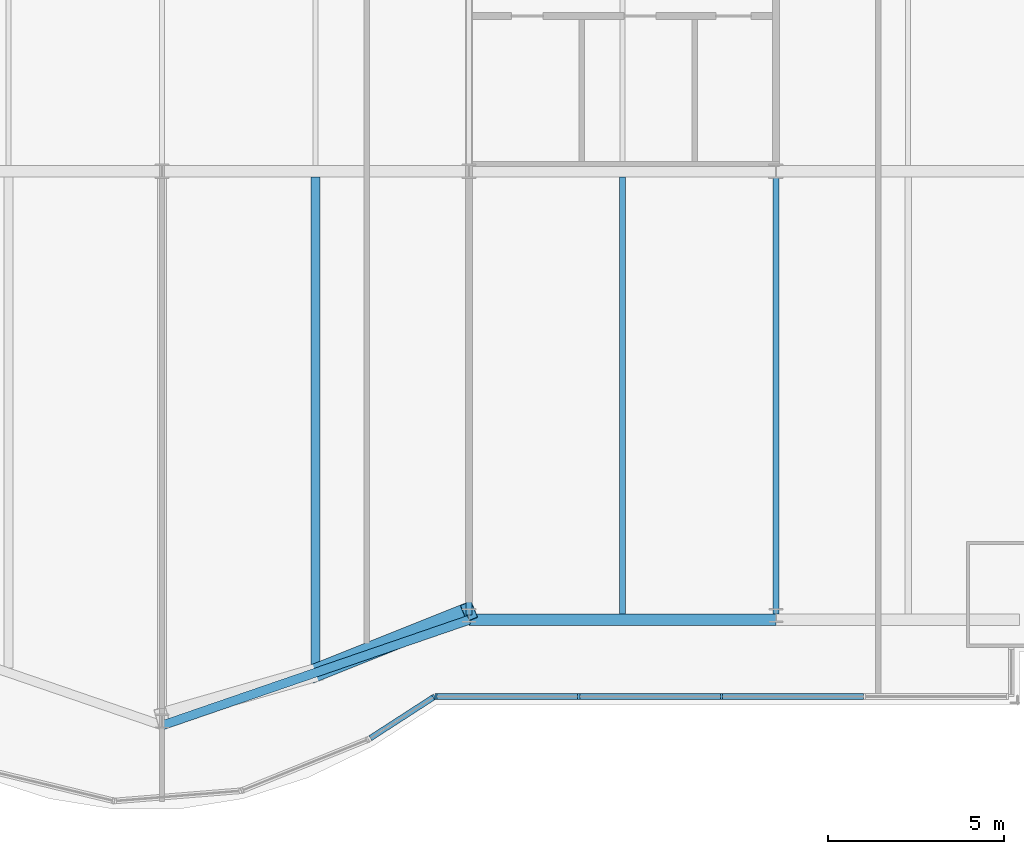
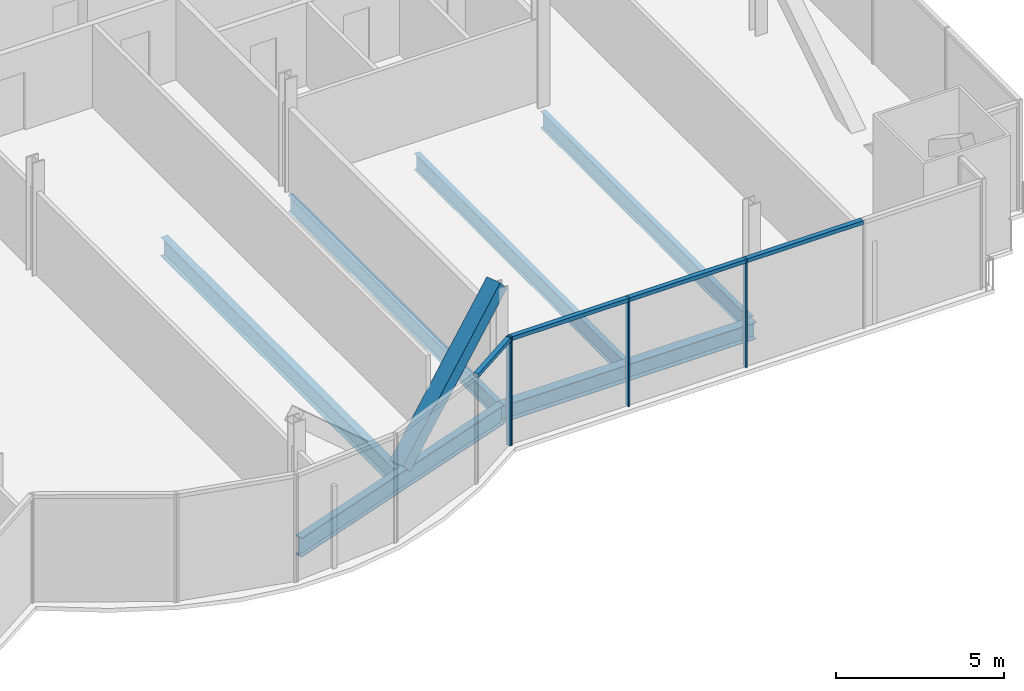
# One storey, part 8 of 21: 9 members, 6 beams, 2 elements without a shape of their own.
"""IFC4 building model written with IfcOpenShell, lengths in metres."""

from ifc_helpers import new_model, si_unit, direction, frame, origin, origin_2d, place, context, subcontext, project, spatial, rectangle, hollow_rectangle, i_section, extrude, material, material_profile, profile_set, type_object, element, aggregate, save


model = new_model("IFC4")

# Units and contexts
model_context = context("Model", 3, precision=1e-05, world=origin(), true_north=direction((0.0, 1.0)))
body_context = subcontext(model_context, "Body", "Model", "MODEL_VIEW")
ifc_project = project(units=[si_unit("LENGTHUNIT", "METRE"), si_unit("AREAUNIT", "SQUARE_METRE"), si_unit("VOLUMEUNIT", "CUBIC_METRE"), si_unit("PLANEANGLEUNIT", "RADIAN"), si_unit("MASSUNIT", "GRAM", prefix="KILO")], contexts=[model_context])

# Site, building, storey
site_placement = place(None, origin())
site = spatial("IfcSite", under=ifc_project, at=site_placement, CompositionType="ELEMENT")
building_placement = place(site_placement, origin())
building = spatial("IfcBuilding", under=site, at=building_placement, Name="Bicima Exchange Tower", CompositionType="ELEMENT")
storey_placement = place(building_placement, frame((0.0, 0.0, 122.699951171875)))
storey = spatial("IfcBuildingStorey", under=building, at=storey_placement, Name="L26", CompositionType="ELEMENT", Elevation=122.699951171875)

# Beams
ifc_material_1 = material(Name="Steel ASTM A992 Gr 50", Category="steel")
ifc_material_profile_1 = material_profile(ifc_material_1, i_section(OverallWidth=0.177978515625, OverallDepth=0.599365234375, WebThickness=0.010009765625, FlangeThickness=0.012939453125, at=origin_2d()))
ifc_profile_set_1 = profile_set([ifc_material_profile_1], Name="Steel ASTM A992 Gr 50")
beam_type_1 = type_object("IfcBeamType", Name="Floor beam W24x55", PredefinedType="JOIST", material=ifc_profile_set_1)
beam_1_placement = place(storey_placement, frame((17.39990234375, -22.16259765625, -0.44970703125), z_axis=(0.0, -1.0, 0.0), x_axis=(1.0, 0.0, 0.0)))
element("IfcBeam", 1, at=beam_1_placement, inside=storey, type_object=beam_type_1, Name="Floor beam", PredefinedType="JOIST", context=body_context, shape_type="SweptSolid", body=[
    extrude(i_section(OverallWidth=0.177978515625, OverallDepth=0.599365234375, WebThickness=0.010009765625, FlangeThickness=0.012939453125, at=origin_2d()), origin(), (0.0, 0.0, 1.0), 12.421875),
])
for number, where, z_axis, x_axis, name in (
    (2, (21.75, -22.16259765625, -0.44970703125), (0.0, -1.0, 0.0), (1.0, 0.0, 0.0), "Floor beam"),
    (3, (26.10009765625, -22.16259765625, -0.44970703125), (0.0, -1.0, 0.0), (1.0, 0.0, 0.0), "Floor beam"),
):
    element("IfcBeam", number, at=place(storey_placement, frame(where, z_axis=z_axis, x_axis=x_axis)), inside=storey, type_object=beam_type_1, Name=name, PredefinedType="JOIST", context=body_context, shape_type="SweptSolid", body=[
        extrude(i_section(OverallWidth=0.177978515625, OverallDepth=0.599365234375, WebThickness=0.010009765625, FlangeThickness=0.012939453125, at=origin_2d()), origin(), (0.0, 0.0, 1.0), 12.394775390625),
    ])
ifc_material_profile_2 = material_profile(ifc_material_1, i_section(OverallWidth=0.25390625, OverallDepth=0.67822265625, WebThickness=0.01171875, FlangeThickness=0.016357421875, at=origin_2d()))
ifc_profile_set_2 = profile_set([ifc_material_profile_2], Name="Steel ASTM A992 Gr 50")
beam_type_2 = type_object("IfcBeamType", Name="Floor beam W27x84", PredefinedType="JOIST", material=ifc_profile_set_2)
beam_2_placement = place(storey_placement, frame((13.050048828125, -22.16259765625, -0.489013671875), z_axis=(0.0, -1.0, 0.0), x_axis=(1.0, 0.0, 0.0)))
element("IfcBeam", 4, at=beam_2_placement, inside=storey, type_object=beam_type_2, Name="Floor beam", PredefinedType="JOIST", context=body_context, shape_type="SweptSolid", body=[
    extrude(i_section(OverallWidth=0.25390625, OverallDepth=0.67822265625, WebThickness=0.01171875, FlangeThickness=0.016357421875, at=origin_2d()), origin(), (0.0, 0.0, 1.0), 13.917236328125),
])
ifc_material_profile_3 = material_profile(ifc_material_1, i_section(OverallWidth=0.3251953125, OverallDepth=0.612060546875, WebThickness=0.0126953125, FlangeThickness=0.01904296875, at=origin_2d()))
ifc_profile_set_3 = profile_set([ifc_material_profile_3], Name="Steel ASTM A992 Gr 50")
beam_type_3 = type_object("IfcBeamType", Name="Front girder W24x104", PredefinedType="BEAM", material=ifc_profile_set_3)
beam_3_placement = place(storey_placement, frame((17.39990234375, -34.719970703125, -0.4560546875), z_axis=(1.0, 0.0, 0.0), x_axis=(0.0, 1.0, 0.0)))
element("IfcBeam", 5, at=beam_3_placement, inside=storey, type_object=beam_type_3, Name="Front girder", PredefinedType="BEAM", context=body_context, shape_type="SweptSolid", body=[
    extrude(i_section(OverallWidth=0.3251953125, OverallDepth=0.612060546875, WebThickness=0.0126953125, FlangeThickness=0.01904296875, at=origin_2d()), origin(), (0.0, 0.0, 1.0), 8.7001953125),
])
ifc_material_profile_4 = material_profile(ifc_material_1, i_section(OverallWidth=0.256591796875, OverallDepth=0.693359375, WebThickness=0.014404296875, FlangeThickness=0.023681640625, at=origin_2d()))
ifc_profile_set_4 = profile_set([ifc_material_profile_4], Name="Steel ASTM A992 Gr 50")
beam_type_4 = type_object("IfcBeamType", Name="Front girder W27x114", PredefinedType="BEAM", material=ifc_profile_set_4)
beam_4_placement = place(storey_placement, frame((8.699951171875, -37.711181640625, -0.49658203125), z_axis=(0.945666456746, 0.325138359143, 0.0), x_axis=(-0.325138359143, 0.945666456746, 0.0)))
element("IfcBeam", 6, at=beam_4_placement, inside=storey, type_object=beam_type_4, Name="Front girder", PredefinedType="BEAM", context=body_context, shape_type="SweptSolid", body=[
    extrude(i_section(OverallWidth=0.256591796875, OverallDepth=0.693359375, WebThickness=0.014404296875, FlangeThickness=0.023681640625, at=origin_2d()), origin(), (0.0, 0.0, 1.0), 9.19970703125),
])

# Curtain wall, member
ifc_material_2 = material(Name="Anodised bronze aluminium", Category="aluminium")
curtain_wall_type = type_object("IfcCurtainWallType", Name="Front glass wall", PredefinedType="NOTDEFINED", material=ifc_material_2)
curtain_wall_1_placement = place(storey_placement, origin())
curtain_wall_1 = element("IfcCurtainWall", 7, at=curtain_wall_1_placement, inside=storey, type_object=curtain_wall_type, Name="Front glass wall L26 run 11", PredefinedType="NOTDEFINED")
ifc_material_profile_5 = material_profile(ifc_material_2, rectangle(XDim=0.159912109375, YDim=0.06005859375, at=origin_2d()))
ifc_profile_set_5 = profile_set([ifc_material_profile_5], Name="Anodised bronze aluminium")
member_type_1 = type_object("IfcMemberType", Name="Front glass wall mullion 60 x 160", PredefinedType="MULLION", material=ifc_profile_set_5)
member_1_placement = place(storey_placement, frame((16.406982421875, -36.90625, 0.0), z_axis=(0.0, 0.0, 1.0), x_axis=(-0.542909183079, 0.839791413941, 0.0)))
member_1 = element("IfcMember", 8, at=member_1_placement, type_object=member_type_1, Name="Front glass wall mullion 2", PredefinedType="MULLION", context=body_context, shape_type="SweptSolid", body=[
    extrude(rectangle(XDim=0.159912109375, YDim=0.06005859375, at=origin_2d()), origin(), (0.0, 0.0, 1.0), 3.949951171875),
])

# Curtain wall, members
curtain_wall_2_placement = place(storey_placement, origin())
curtain_wall_2 = element("IfcCurtainWall", 9, at=curtain_wall_2_placement, inside=storey, type_object=curtain_wall_type, Name="Front glass wall L26 run 16", PredefinedType="NOTDEFINED")
member_2_placement = place(storey_placement, frame((16.462158203125, -36.889892578125, 0.0), z_axis=(0.0, 0.0, 1.0), x_axis=(0.0, 1.0, 0.0)))
member_2 = element("IfcMember", 10, at=member_2_placement, type_object=member_type_1, Name="Front glass wall mullion 1", PredefinedType="MULLION", context=body_context, shape_type="SweptSolid", body=[
    extrude(rectangle(XDim=0.159912109375, YDim=0.06005859375, at=origin_2d()), origin(), (0.0, 0.0, 1.0), 3.949951171875),
])
member_3_placement = place(storey_placement, frame((20.51171875, -36.889892578125, 0.0), z_axis=(0.0, 0.0, 1.0), x_axis=(0.0, 1.0, 0.0)))
member_3 = element("IfcMember", 11, at=member_3_placement, type_object=member_type_1, Name="Front glass wall mullion 2", PredefinedType="MULLION", context=body_context, shape_type="SweptSolid", body=[
    extrude(rectangle(XDim=0.159912109375, YDim=0.06005859375, at=origin_2d()), origin(), (0.0, 0.0, 1.0), 3.949951171875),
])
member_4_placement = place(storey_placement, frame((24.56103515625, -36.889892578125, 0.0), z_axis=(0.0, 0.0, 1.0), x_axis=(0.0, 1.0, 0.0)))
member_4 = element("IfcMember", 12, at=member_4_placement, type_object=member_type_1, Name="Front glass wall mullion 3", PredefinedType="MULLION", context=body_context, shape_type="SweptSolid", body=[
    extrude(rectangle(XDim=0.159912109375, YDim=0.06005859375, at=origin_2d()), origin(), (0.0, 0.0, 1.0), 3.949951171875),
])

# Member
ifc_material_profile_6 = material_profile(ifc_material_2, rectangle(XDim=0.159912109375, YDim=0.139892578125, at=origin_2d()))
ifc_profile_set_6 = profile_set([ifc_material_profile_6], Name="Anodised bronze aluminium")
member_type_2 = type_object("IfcMemberType", Name="Front glass wall transom 140 x 160", PredefinedType="USERDEFINED", material=ifc_profile_set_6)
member_5_placement = place(storey_placement, frame((14.60400390625, -38.07177734375, 3.880126953125), z_axis=(0.839792890287, 0.542906899407, 0.0), x_axis=(-0.542906899407, 0.839792890287, 0.0)))
member_5 = element("IfcMember", 13, at=member_5_placement, type_object=member_type_2, Name="Front glass wall transom 1.1", ObjectType="TRANSOM", PredefinedType="USERDEFINED", context=body_context, shape_type="SweptSolid", body=[
    extrude(rectangle(XDim=0.159912109375, YDim=0.139892578125, at=origin_2d()), origin(), (0.0, 0.0, 1.0), 2.11669921875),
])

aggregate(curtain_wall_1, [member_1, member_5])

member_6_placement = place(storey_placement, frame((16.4921875, -36.889892578125, 3.880126953125), z_axis=(1.0, 0.0, 0.0), x_axis=(0.0, 1.0, 0.0)))
member_6 = element("IfcMember", 14, at=member_6_placement, type_object=member_type_2, Name="Front glass wall transom 1.1", ObjectType="TRANSOM", PredefinedType="USERDEFINED", context=body_context, shape_type="SweptSolid", body=[
    extrude(rectangle(XDim=0.159912109375, YDim=0.139892578125, at=origin_2d()), origin(), (0.0, 0.0, 1.0), 3.989501953125),
])

member_7_placement = place(storey_placement, frame((20.54150390625, -36.889892578125, 3.880126953125), z_axis=(1.0, 0.0, 0.0), x_axis=(0.0, 1.0, 0.0)))
member_7 = element("IfcMember", 15, at=member_7_placement, type_object=member_type_2, Name="Front glass wall transom 2.1", ObjectType="TRANSOM", PredefinedType="USERDEFINED", context=body_context, shape_type="SweptSolid", body=[
    extrude(rectangle(XDim=0.159912109375, YDim=0.139892578125, at=origin_2d()), origin(), (0.0, 0.0, 1.0), 3.989501953125),
])

member_8_placement = place(storey_placement, frame((24.591064453125, -36.889892578125, 3.880126953125), z_axis=(1.0, 0.0, 0.0), x_axis=(0.0, 1.0, 0.0)))
member_8 = element("IfcMember", 16, at=member_8_placement, type_object=member_type_2, Name="Front glass wall transom 3.1", ObjectType="TRANSOM", PredefinedType="USERDEFINED", context=body_context, shape_type="SweptSolid", body=[
    extrude(rectangle(XDim=0.159912109375, YDim=0.139892578125, at=origin_2d()), origin(), (0.0, 0.0, 1.0), 3.989501953125),
])

aggregate(curtain_wall_2, [member_2, member_3, member_4, member_6, member_7, member_8])

ifc_material_3 = material(Name="Steel ASTM A572 Gr 50", Category="steel")
ifc_material_profile_7 = material_profile(ifc_material_3, hollow_rectangle(XDim=0.508056640625, YDim=0.508056640625, WallThickness=0.0146484375, at=origin_2d()))
ifc_profile_set_7 = profile_set([ifc_material_profile_7], Name="Steel ASTM A572 Gr 50")
member_type_3 = type_object("IfcMemberType", Name="Mega brace HSS20x20x5/8", PredefinedType="BRACE", material=ifc_profile_set_7)
member_9_placement = place(storey_placement, frame((13.050048828125, -36.215576171875, 0.0), z_axis=(0.69870612412, 0.279411861388, 0.658588463179), x_axis=(-0.371309808925, 0.928509033772, 0.0)))
element("IfcMember", 17, at=member_9_placement, inside=storey, type_object=member_type_3, Name="Mega brace front", PredefinedType="BRACE", context=body_context, shape_type="SweptSolid", body=[
    extrude(hollow_rectangle(XDim=0.508056640625, YDim=0.508056640625, WallThickness=0.0146484375, at=origin_2d()), origin(), (0.0, 0.0, 1.0), 6.2255859375),
])

save(model, "model.ifc")
